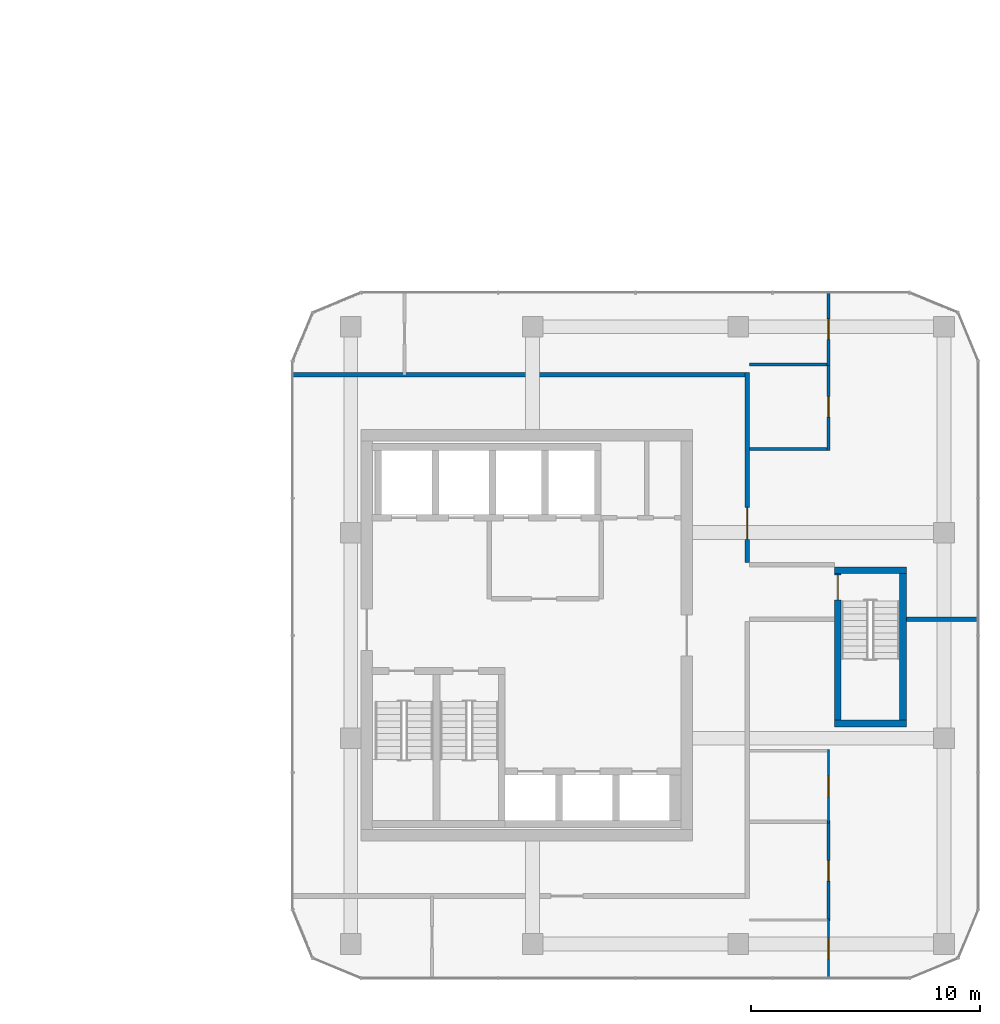
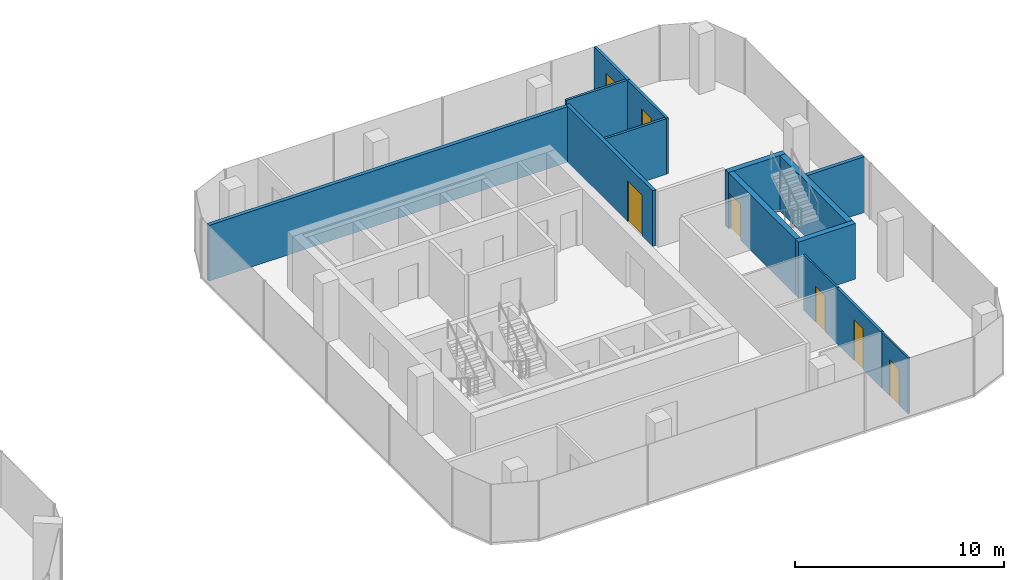
# One storey, part 18 of 22: 14 walls, 7 doors, 7 openings.
"""IFC4 building model written with IfcOpenShell, lengths in metres."""

from ifc_helpers import new_model, si_unit, direction, frame, frame_2d, origin, place, context, subcontext, project, spatial, rectangle, extrude, material, layer, layer_set, type_object, element, fill, save


model = new_model("IFC4")

# Units and contexts
model_context = context("Model", 3, precision=1e-05, world=origin(), true_north=direction((0.0, 1.0)))
body_context = subcontext(model_context, "Body", "Model", "MODEL_VIEW")
ifc_project = project(units=[si_unit("LENGTHUNIT", "METRE"), si_unit("AREAUNIT", "SQUARE_METRE"), si_unit("VOLUMEUNIT", "CUBIC_METRE"), si_unit("PLANEANGLEUNIT", "RADIAN"), si_unit("MASSUNIT", "GRAM", prefix="KILO")], contexts=[model_context])

# Site, building, storey
site_placement = place(None, origin())
site = spatial("IfcSite", under=ifc_project, at=site_placement, CompositionType="ELEMENT")
building_placement = place(site_placement, origin())
building = spatial("IfcBuilding", under=site, at=building_placement, Name="Plateau Cross Towers", CompositionType="ELEMENT")
storey_placement = place(building_placement, frame((0.0, 0.0, 61.800048828125)))
storey = spatial("IfcBuildingStorey", under=building, at=storey_placement, Name="L15", CompositionType="ELEMENT", Elevation=61.800048828125)

# Wall, opening, door
ifc_material_1 = material(Name="Concrete C60/75", Category="concrete")
ifc_layer_1 = layer(ifc_material_1, 0.300048828125)
ifc_layer_set_1 = layer_set([ifc_layer_1], Name="Concrete C60/75")
wall_type_1 = type_object("IfcWallType", Name="Core shaft wall 300", PredefinedType="SHEAR", material=ifc_layer_set_1)
wall_1_placement = place(storey_placement, frame((95.85009765625, 5.300048828125, 0.0), z_axis=(0.0, 0.0, 1.0), x_axis=(0.0, 1.0, 0.0)))
wall_1 = element("IfcWall", 1, at=wall_1_placement, inside=storey, type_object=wall_type_1, Name="B-sb3-W@L15", PredefinedType="SHEAR", context=body_context, shape_type="SweptSolid", body=[
    extrude(rectangle(XDim=6.39990234375, YDim=0.300048828125, at=frame_2d((3.199951171875, 0.0))), origin(), (0.0, 0.0, 1.0), 3.25),
])
opening_1_placement = place(wall_1_placement, frame((5.25, 0.0, 0.0)))
opening_1 = element("IfcOpeningElement", 2, at=opening_1_placement, cuts=wall_1, Name="Opening SD", PredefinedType="OPENING", context=body_context, shape_type="SweptSolid", body=[
    extrude(rectangle(XDim=1.10009765625, YDim=2.10009765625, at=frame_2d((0.550048828125, 1.050048828125))), frame((0.0, 0.159912109375, 0.0), z_axis=(0.0, -1.0, 0.0), x_axis=(1.0, 0.0, 0.0)), (0.0, 0.0, 1.0), 0.320068359375),
])
ifc_material_2 = material(Name="Steel, fire-resisting leaf", Category="steel")
door_type_1 = type_object("IfcDoorType", Name="Stair door 1100", OperationType="NOTDEFINED", PredefinedType="DOOR", material=ifc_material_2)
door_1_placement = place(opening_1_placement, origin())
door_1 = element("IfcDoor", 3, at=door_1_placement, inside=storey, type_object=door_type_1, Name="Stair door SD", OperationType="SINGLE_SWING_LEFT", OverallHeight=2.10009765625, OverallWidth=1.10009765625, PredefinedType="DOOR", context=body_context, shape_type="SweptSolid", body=[
    extrude(rectangle(XDim=1.10009765625, YDim=2.10009765625, at=frame_2d((0.550048828125, 1.050048828125))), frame((0.0, 0.02490234375, 0.0), z_axis=(0.0, -1.0, 0.0), x_axis=(1.0, 0.0, 0.0)), (0.0, 0.0, 1.0), 0.050048828125),
])
fill(opening_1, door_1)

# Walls
wall_2_placement = place(storey_placement, frame((98.699951171875, 5.300048828125, 0.0), z_axis=(0.0, 0.0, 1.0), x_axis=(0.0, 1.0, 0.0)))
element("IfcWall", 4, at=wall_2_placement, inside=storey, type_object=wall_type_1, Name="B-sb3-E@L15", PredefinedType="SHEAR", context=body_context, shape_type="SweptSolid", body=[
    extrude(rectangle(XDim=6.39990234375, YDim=0.300048828125, at=frame_2d((3.199951171875, 0.0))), origin(), (0.0, 0.0, 1.0), 3.25),
])
for number, where, z_axis, x_axis, name in (
    (5, (95.699951171875, 5.14990234375, 0.0), (0.0, 0.0, 1.0), (1.0, 0.0, 0.0), "B-sb3-S@L15"),
    (6, (95.699951171875, 11.85009765625, 0.0), (0.0, 0.0, 1.0), (1.0, 0.0, 0.0), "B-sb3-N@L15"),
):
    element("IfcWall", number, at=place(storey_placement, frame(where, z_axis=z_axis, x_axis=x_axis)), inside=storey, type_object=wall_type_1, Name=name, PredefinedType="SHEAR", context=body_context, shape_type="SweptSolid", body=[
        extrude(rectangle(XDim=3.150146484375, YDim=0.300048828125, at=frame_2d((1.5751953125, 0.0))), origin(), (0.0, 0.0, 1.0), 3.25),
    ])
ifc_material_3 = material(Name="Gypsum board on steel studs, two layers each side", Category="steel")
ifc_layer_2 = layer(ifc_material_3, 0.199951171875)
ifc_layer_set_2 = layer_set([ifc_layer_2], Name="Gypsum board on steel studs, two layers each side")
wall_type_2 = type_object("IfcWallType", Name="Corridor wall 200", PredefinedType="PARTITIONING", material=ifc_layer_set_2)
wall_3_placement = place(storey_placement, frame((72.0, 20.39990234375, 0.0), z_axis=(0.0, 0.0, 1.0), x_axis=(1.0, 0.0, 0.0)))
element("IfcWall", 7, at=wall_3_placement, inside=storey, type_object=wall_type_2, Name="Ring wall", PredefinedType="PARTITIONING", context=body_context, shape_type="SweptSolid", body=[
    extrude(rectangle(XDim=20.0, YDim=0.199951171875, at=frame_2d((10.0, 0.0))), origin(), (0.0, 0.0, 1.0), 3.25),
])

# Wall, opening, door
wall_4_placement = place(storey_placement, frame((91.89990234375, 12.199951171875, 0.0), z_axis=(0.0, 0.0, 1.0), x_axis=(0.0, 1.0, 0.0)))
wall_4 = element("IfcWall", 8, at=wall_4_placement, inside=storey, type_object=wall_type_2, Name="Ring wall", PredefinedType="PARTITIONING", context=body_context, shape_type="SweptSolid", body=[
    extrude(rectangle(XDim=8.300048828125, YDim=0.199951171875, at=frame_2d((4.14990234375, 0.0))), origin(), (0.0, 0.0, 1.0), 3.25),
])
opening_2_placement = place(wall_4_placement, frame((1.0, 0.0, 0.0)))
opening_2 = element("IfcOpeningElement", 9, at=opening_2_placement, cuts=wall_4, Name="Opening D-BE14", PredefinedType="OPENING", context=body_context, shape_type="SweptSolid", body=[
    extrude(rectangle(XDim=1.39990234375, YDim=2.39990234375, at=frame_2d((0.699951171875, 1.199951171875))), frame((0.0, 0.10986328125, 0.0), z_axis=(0.0, -1.0, 0.0), x_axis=(1.0, 0.0, 0.0)), (0.0, 0.0, 1.0), 0.219970703125),
])
ifc_material_4 = material(Name="Timber, fire-resisting leaves", Category="wood")
door_type_2 = type_object("IfcDoorType", Name="Tenant entrance double-leaf 1400x2400", OperationType="NOTDEFINED", PredefinedType="DOOR", material=ifc_material_4)
door_2_placement = place(opening_2_placement, origin())
door_2 = element("IfcDoor", 10, at=door_2_placement, inside=storey, type_object=door_type_2, Name="Door D-BE14", OperationType="DOUBLE_DOOR_SINGLE_SWING", OverallHeight=2.39990234375, OverallWidth=1.39990234375, PredefinedType="DOOR", context=body_context, shape_type="SweptSolid", body=[
    extrude(rectangle(XDim=1.39990234375, YDim=2.39990234375, at=frame_2d((0.699951171875, 1.199951171875))), frame((0.0, 0.02490234375, 0.0), z_axis=(0.0, -1.0, 0.0), x_axis=(1.0, 0.0, 0.0)), (0.0, 0.0, 1.0), 0.050048828125),
])
fill(opening_2, door_2)

ifc_material_5 = material(Name="Gypsum board on staggered steel studs, mineral wool, two layers each side", Category="steel")
ifc_layer_3 = layer(ifc_material_5, 0.139892578125)
ifc_layer_set_3 = layer_set([ifc_layer_3], Name="Gypsum board on staggered steel studs, mineral wool, two layers each side")
wall_type_3 = type_object("IfcWallType", Name="Meeting room acoustic partition 140", PredefinedType="PARTITIONING", material=ifc_layer_set_3)
wall_5_placement = place(storey_placement, frame((95.449951171875, -3.5, 0.0), z_axis=(0.0, 0.0, 1.0), x_axis=(0.0, 1.0, 0.0)))
wall_5 = element("IfcWall", 11, at=wall_5_placement, inside=storey, type_object=wall_type_3, Name="Acoustic wall", PredefinedType="PARTITIONING", context=body_context, shape_type="SweptSolid", body=[
    extrude(rectangle(XDim=4.39990234375, YDim=0.139892578125, at=frame_2d((2.199951171875, 0.0))), origin(), (0.0, 0.0, 1.0), 3.25),
])
opening_3_placement = place(wall_5_placement, frame((1.75, 0.0, 0.0)))
opening_3 = element("IfcOpeningElement", 12, at=opening_3_placement, cuts=wall_5, Name="Opening D-BM9", PredefinedType="OPENING", context=body_context, shape_type="SweptSolid", body=[
    extrude(rectangle(XDim=0.89990234375, YDim=2.39990234375, at=frame_2d((0.449951171875, 1.199951171875))), frame((0.0, 0.079833984375, 0.0), z_axis=(0.0, -1.0, 0.0), x_axis=(1.0, 0.0, 0.0)), (0.0, 0.0, 1.0), 0.159912109375),
])
ifc_material_6 = material(Name="Timber leaf, full height", Category="wood")
door_type_3 = type_object("IfcDoorType", Name="Meeting room door 900x2400", OperationType="NOTDEFINED", PredefinedType="DOOR", material=ifc_material_6)
door_3_placement = place(opening_3_placement, origin())
door_3 = element("IfcDoor", 13, at=door_3_placement, inside=storey, type_object=door_type_3, Name="Door D-BM9", OperationType="SINGLE_SWING_LEFT", OverallHeight=2.39990234375, OverallWidth=0.89990234375, PredefinedType="DOOR", context=body_context, shape_type="SweptSolid", body=[
    extrude(rectangle(XDim=0.89990234375, YDim=2.39990234375, at=frame_2d((0.449951171875, 1.199951171875))), frame((0.0, 0.02490234375, 0.0), z_axis=(0.0, -1.0, 0.0), x_axis=(1.0, 0.0, 0.0)), (0.0, 0.0, 1.0), 0.050048828125),
])
fill(opening_3, door_3)

wall_6_placement = place(storey_placement, frame((95.449951171875, 20.800048828125, 0.0), z_axis=(0.0, 0.0, 1.0), x_axis=(0.0, 1.0, 0.0)))
wall_6 = element("IfcWall", 14, at=wall_6_placement, inside=storey, type_object=wall_type_3, Name="Acoustic wall", PredefinedType="PARTITIONING", context=body_context, shape_type="SweptSolid", body=[
    extrude(rectangle(XDim=3.199951171875, YDim=0.139892578125, at=frame_2d((1.60009765625, 0.0))), origin(), (0.0, 0.0, 1.0), 3.25),
])
opening_4_placement = place(wall_6_placement, frame((1.14990234375, 0.0, 0.0)))
opening_4 = element("IfcOpeningElement", 15, at=opening_4_placement, cuts=wall_6, Name="Opening D-BM9", PredefinedType="OPENING", context=body_context, shape_type="SweptSolid", body=[
    extrude(rectangle(XDim=0.89990234375, YDim=2.39990234375, at=frame_2d((0.449951171875, 1.199951171875))), frame((0.0, 0.079833984375, 0.0), z_axis=(0.0, -1.0, 0.0), x_axis=(1.0, 0.0, 0.0)), (0.0, 0.0, 1.0), 0.159912109375),
])
door_4_placement = place(opening_4_placement, origin())
door_4 = element("IfcDoor", 16, at=door_4_placement, inside=storey, type_object=door_type_3, Name="Door D-BM9", OperationType="SINGLE_SWING_LEFT", OverallHeight=2.39990234375, OverallWidth=0.89990234375, PredefinedType="DOOR", context=body_context, shape_type="SweptSolid", body=[
    extrude(rectangle(XDim=0.89990234375, YDim=2.39990234375, at=frame_2d((0.449951171875, 1.199951171875))), frame((0.0, 0.02490234375, 0.0), z_axis=(0.0, -1.0, 0.0), x_axis=(1.0, 0.0, 0.0)), (0.0, 0.0, 1.0), 0.050048828125),
])
fill(opening_4, door_4)

# Wall
wall_7_placement = place(storey_placement, frame((92.0, 20.85009765625, 0.0), z_axis=(0.0, 0.0, 1.0), x_axis=(1.0, 0.0, 0.0)))
element("IfcWall", 17, at=wall_7_placement, inside=storey, type_object=wall_type_3, Name="Acoustic wall", PredefinedType="PARTITIONING", context=body_context, shape_type="SweptSolid", body=[
    extrude(rectangle(XDim=3.3798828125, YDim=0.139892578125, at=frame_2d((1.68994140625, 0.0))), origin(), (0.0, 0.0, 1.0), 3.25),
])

# Wall, opening, door
wall_8_placement = place(storey_placement, frame((95.449951171875, 17.10009765625, 0.0), z_axis=(0.0, 0.0, 1.0), x_axis=(0.0, 1.0, 0.0)))
wall_8 = element("IfcWall", 18, at=wall_8_placement, inside=storey, type_object=wall_type_3, Name="Acoustic wall", PredefinedType="PARTITIONING", context=body_context, shape_type="SweptSolid", body=[
    extrude(rectangle(XDim=3.7998046875, YDim=0.139892578125, at=frame_2d((1.89990234375, 0.0))), origin(), (0.0, 0.0, 1.0), 3.25),
])
opening_5_placement = place(wall_8_placement, frame((1.449951171875, 0.0, 0.0)))
opening_5 = element("IfcOpeningElement", 19, at=opening_5_placement, cuts=wall_8, Name="Opening D-BM9", PredefinedType="OPENING", context=body_context, shape_type="SweptSolid", body=[
    extrude(rectangle(XDim=0.89990234375, YDim=2.39990234375, at=frame_2d((0.449951171875, 1.199951171875))), frame((0.0, 0.079833984375, 0.0), z_axis=(0.0, -1.0, 0.0), x_axis=(1.0, 0.0, 0.0)), (0.0, 0.0, 1.0), 0.159912109375),
])
door_5_placement = place(opening_5_placement, origin())
door_5 = element("IfcDoor", 20, at=door_5_placement, inside=storey, type_object=door_type_3, Name="Door D-BM9", OperationType="SINGLE_SWING_LEFT", OverallHeight=2.39990234375, OverallWidth=0.89990234375, PredefinedType="DOOR", context=body_context, shape_type="SweptSolid", body=[
    extrude(rectangle(XDim=0.89990234375, YDim=2.39990234375, at=frame_2d((0.449951171875, 1.199951171875))), frame((0.0, 0.02490234375, 0.0), z_axis=(0.0, -1.0, 0.0), x_axis=(1.0, 0.0, 0.0)), (0.0, 0.0, 1.0), 0.050048828125),
])
fill(opening_5, door_5)

# Wall
wall_9_placement = place(storey_placement, frame((92.0, 17.14990234375, 0.0), z_axis=(0.0, 0.0, 1.0), x_axis=(1.0, 0.0, 0.0)))
element("IfcWall", 21, at=wall_9_placement, inside=storey, type_object=wall_type_3, Name="Acoustic wall", PredefinedType="PARTITIONING", context=body_context, shape_type="SweptSolid", body=[
    extrude(rectangle(XDim=3.3798828125, YDim=0.139892578125, at=frame_2d((1.68994140625, 0.0))), origin(), (0.0, 0.0, 1.0), 3.25),
])

# Wall, opening, door
ifc_material_7 = material(Name="Gypsum board on steel studs", Category="steel")
ifc_layer_4 = layer(ifc_material_7, 0.10009765625)
ifc_layer_set_4 = layer_set([ifc_layer_4], Name="Gypsum board on steel studs")
wall_type_4 = type_object("IfcWallType", Name="Office partition 100", PredefinedType="PARTITIONING", material=ifc_layer_set_4)
wall_10_placement = place(storey_placement, frame((95.449951171875, -6.0, 0.0), z_axis=(0.0, 0.0, 1.0), x_axis=(0.0, 1.0, 0.0)))
wall_10 = element("IfcWall", 22, at=wall_10_placement, inside=storey, type_object=wall_type_4, Name="Part wall", PredefinedType="PARTITIONING", context=body_context, shape_type="SweptSolid", body=[
    extrude(rectangle(XDim=2.60009765625, YDim=0.10009765625, at=frame_2d((1.300048828125, 0.0))), origin(), (0.0, 0.0, 1.0), 3.25),
])
opening_6_placement = place(wall_10_placement, frame((0.85009765625, 0.0, 0.0)))
opening_6 = element("IfcOpeningElement", 23, at=opening_6_placement, cuts=wall_10, Name="Opening D-BR9", PredefinedType="OPENING", context=body_context, shape_type="SweptSolid", body=[
    extrude(rectangle(XDim=0.89990234375, YDim=2.10009765625, at=frame_2d((0.449951171875, 1.050048828125))), frame((0.0, 0.06005859375, 0.0), z_axis=(0.0, -1.0, 0.0), x_axis=(1.0, 0.0, 0.0)), (0.0, 0.0, 1.0), 0.1201171875),
])
ifc_material_8 = material(Name="Timber leaf", Category="wood")
door_type_4 = type_object("IfcDoorType", Name="Office room door 900", OperationType="NOTDEFINED", PredefinedType="DOOR", material=ifc_material_8)
door_6_placement = place(opening_6_placement, origin())
door_6 = element("IfcDoor", 24, at=door_6_placement, inside=storey, type_object=door_type_4, Name="Door D-BR9", OperationType="SINGLE_SWING_LEFT", OverallHeight=2.10009765625, OverallWidth=0.89990234375, PredefinedType="DOOR", context=body_context, shape_type="SweptSolid", body=[
    extrude(rectangle(XDim=0.89990234375, YDim=2.10009765625, at=frame_2d((0.449951171875, 1.050048828125))), frame((0.0, 0.02490234375, 0.0), z_axis=(0.0, -1.0, 0.0), x_axis=(1.0, 0.0, 0.0)), (0.0, 0.0, 1.0), 0.050048828125),
])
fill(opening_6, door_6)

wall_11_placement = place(storey_placement, frame((95.449951171875, 0.800048828125, 0.0), z_axis=(0.0, 0.0, 1.0), x_axis=(0.0, 1.0, 0.0)))
wall_11 = element("IfcWall", 25, at=wall_11_placement, inside=storey, type_object=wall_type_4, Name="Part wall", PredefinedType="PARTITIONING", context=body_context, shape_type="SweptSolid", body=[
    extrude(rectangle(XDim=3.199951171875, YDim=0.10009765625, at=frame_2d((1.60009765625, 0.0))), origin(), (0.0, 0.0, 1.0), 3.25),
])
opening_7_placement = place(wall_11_placement, frame((1.14990234375, 0.0, 0.0)))
opening_7 = element("IfcOpeningElement", 26, at=opening_7_placement, cuts=wall_11, Name="Opening D-BR9", PredefinedType="OPENING", context=body_context, shape_type="SweptSolid", body=[
    extrude(rectangle(XDim=0.89990234375, YDim=2.10009765625, at=frame_2d((0.449951171875, 1.050048828125))), frame((0.0, 0.06005859375, 0.0), z_axis=(0.0, -1.0, 0.0), x_axis=(1.0, 0.0, 0.0)), (0.0, 0.0, 1.0), 0.1201171875),
])
door_7_placement = place(opening_7_placement, origin())
door_7 = element("IfcDoor", 27, at=door_7_placement, inside=storey, type_object=door_type_4, Name="Door D-BR9", OperationType="SINGLE_SWING_LEFT", OverallHeight=2.10009765625, OverallWidth=0.89990234375, PredefinedType="DOOR", context=body_context, shape_type="SweptSolid", body=[
    extrude(rectangle(XDim=0.89990234375, YDim=2.10009765625, at=frame_2d((0.449951171875, 1.050048828125))), frame((0.0, 0.02490234375, 0.0), z_axis=(0.0, -1.0, 0.0), x_axis=(1.0, 0.0, 0.0)), (0.0, 0.0, 1.0), 0.050048828125),
])
fill(opening_7, door_7)

# Wall
ifc_layer_5 = layer(ifc_material_3, 0.199951171875)
ifc_layer_set_5 = layer_set([ifc_layer_5], Name="Gypsum board on steel studs, two layers each side")
wall_type_5 = type_object("IfcWallType", Name="Tenancy demising wall 200", PredefinedType="PARTITIONING", material=ifc_layer_set_5)
wall_12_placement = place(storey_placement, frame((98.85009765625, 9.699951171875, 0.0), z_axis=(0.0, 0.0, 1.0), x_axis=(1.0, 0.0, 0.0)))
element("IfcWall", 28, at=wall_12_placement, inside=storey, type_object=wall_type_5, Name="Demising wall", PredefinedType="PARTITIONING", context=body_context, shape_type="SweptSolid", body=[
    extrude(rectangle(XDim=3.14990234375, YDim=0.199951171875, at=frame_2d((1.574951171875, 0.0))), origin(), (0.0, 0.0, 1.0), 3.25),
])

save(model, "model.ifc")
